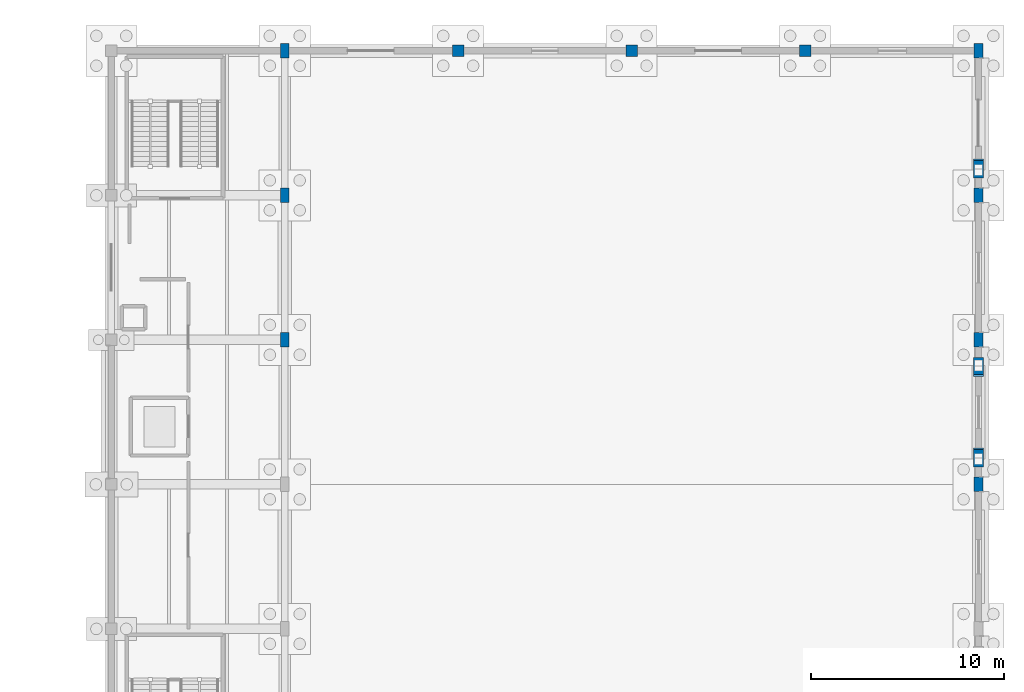
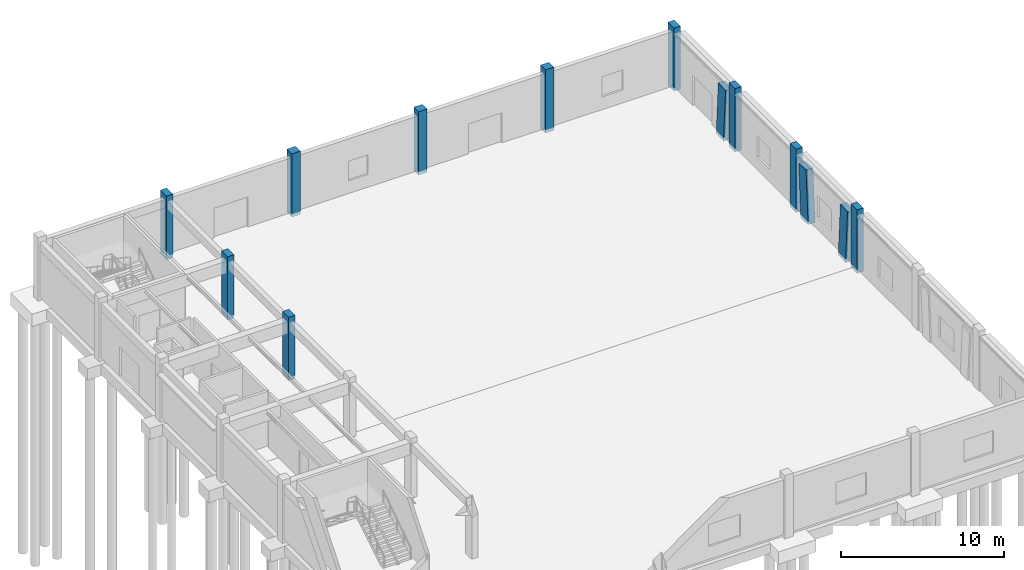
# One storey, part 15 of 93: 13 columns.
"""IFC4 building model written with IfcOpenShell, lengths in metres."""

from ifc_helpers import new_model, si_unit, direction, frame, origin, origin_2d, place, context, subcontext, project, spatial, rectangle, extrude, material, material_profile, profile_set, type_object, element, save


model = new_model("IFC4")

# Units and contexts
model_context = context("Model", 3, precision=1e-05, world=origin(), true_north=direction((0.0, 1.0)))
body_context = subcontext(model_context, "Body", "Model", "MODEL_VIEW")
ifc_project = project(units=[si_unit("LENGTHUNIT", "METRE"), si_unit("AREAUNIT", "SQUARE_METRE"), si_unit("VOLUMEUNIT", "CUBIC_METRE"), si_unit("PLANEANGLEUNIT", "RADIAN"), si_unit("MASSUNIT", "GRAM", prefix="KILO")], contexts=[model_context])

# Site, building, storey
site_placement = place(None, origin())
site = spatial("IfcSite", under=ifc_project, at=site_placement, CompositionType="ELEMENT")
building_placement = place(site_placement, origin())
building = spatial("IfcBuilding", under=site, at=building_placement, Name="Marnridge Secondary College", CompositionType="ELEMENT")
storey_placement = place(building_placement, origin())
storey = spatial("IfcBuildingStorey", under=building, at=storey_placement, Name="L00", CompositionType="ELEMENT", Elevation=0.0)

# Columns
ifc_material_1 = material(Name="Concrete C40/50 (AS 3600 N40, 40 MPa)", Category="concrete")
ifc_material_profile_1 = material_profile(ifc_material_1, rectangle(XDim=0.449951171875, YDim=0.75, at=origin_2d()), Name="RC 450x750")
ifc_profile_set_1 = profile_set([ifc_material_profile_1], Name="Concrete C40/50 (AS 3600 N40, 40 MPa)")
column_type_1 = type_object("IfcColumnType", Name="CL-RC4575-EXT", PredefinedType="COLUMN", material=ifc_profile_set_1)
for number, where, z_axis, x_axis, name in (
    (1, (171.0, 97.5, -0.25), (0.0, 0.0, 1.0), (1.0, 0.0, 0.0), "Column C-L00-0553"),
    (2, (135.0, 105.0, -0.25), (0.0, 0.0, 1.0), (1.0, 0.0, 0.0), "Column C-L00-0577"),
    (3, (171.0, 105.0, -0.25), (0.0, 0.0, 1.0), (1.0, 0.0, 0.0), "Column C-L00-0579"),
    (4, (135.0, 112.5, -0.25), (0.0, 0.0, 1.0), (1.0, 0.0, 0.0), "Column C-L00-0603"),
    (5, (171.0, 112.5, -0.25), (0.0, 0.0, 1.0), (1.0, 0.0, 0.0), "Column C-L00-0605"),
    (6, (135.0, 120.0, -0.25), (0.0, 0.0, 1.0), (1.0, 0.0, 0.0), "Column C-L00-0629"),
    (7, (171.0, 120.0, -0.25), (0.0, 0.0, 1.0), (1.0, 0.0, 0.0), "Column C-L00-0637"),
):
    element("IfcColumn", number, at=place(storey_placement, frame(where, z_axis=z_axis, x_axis=x_axis)), inside=storey, type_object=column_type_1, Name=name, PredefinedType="COLUMN", context=body_context, shape_type="SweptSolid", body=[
        extrude(rectangle(XDim=0.449951171875, YDim=0.75, at=origin_2d()), origin(), (0.0, 0.0, 1.0), 4.75),
    ])
ifc_material_2 = material(Name="Concrete C50/60 (AS 3600 N50, 50 MPa)", Category="concrete")
ifc_material_profile_2 = material_profile(ifc_material_2, rectangle(XDim=0.5, YDim=0.89990234375, at=origin_2d()), Name="RC 500x900")
ifc_profile_set_2 = profile_set([ifc_material_profile_2], Name="Concrete C50/60 (AS 3600 N50, 50 MPa)")
column_type_2 = type_object("IfcColumnType", Name="CL-RC5090-EXT", PredefinedType="PILASTER", material=ifc_profile_set_2)
for number, where, z_axis, x_axis, name in (
    (8, (171.0, 98.949951171875, -0.25), (0.0, -0.063196655728, 0.998001093539), (1.0, 0.0, 0.0), "Inclined pilaster strut CP-0641"),
    (9, (171.0, 103.550048828125, -0.25), (0.0, 0.063196655728, 0.998001093539), (-1.0, 0.0, 0.0), "Inclined pilaster strut CP-0642"),
    (10, (171.0, 113.949951171875, -0.25), (0.0, -0.063196655728, 0.998001093539), (1.0, 0.0, 0.0), "Inclined pilaster strut CP-0643"),
):
    element("IfcColumn", number, at=place(storey_placement, frame(where, z_axis=z_axis, x_axis=x_axis)), inside=storey, type_object=column_type_2, Name=name, PredefinedType="PILASTER", context=body_context, shape_type="SweptSolid", body=[
        extrude(rectangle(XDim=0.5, YDim=0.89990234375, at=origin_2d()), origin(), (0.0, 0.0, 1.0), 3.955810546875),
    ])
ifc_material_3 = material(Name="Concrete C40/50 (AS 3600 N40, 40 MPa)", Category="concrete")
ifc_material_profile_3 = material_profile(ifc_material_3, rectangle(XDim=0.60009765625, YDim=0.60009765625, at=origin_2d()), Name="RC 600x600")
ifc_profile_set_3 = profile_set([ifc_material_profile_3], Name="Concrete C40/50 (AS 3600 N40, 40 MPa)")
column_type_3 = type_object("IfcColumnType", Name="CL-RC600-EXT", PredefinedType="COLUMN", material=ifc_profile_set_3)
for number, where, z_axis, x_axis, name in (
    (11, (144.0, 120.0, -0.25), (0.0, 0.0, 1.0), (1.0, 0.0, 0.0), "Column C-L00-0631"),
    (12, (153.0, 120.0, -0.25), (0.0, 0.0, 1.0), (1.0, 0.0, 0.0), "Column C-L00-0633"),
    (13, (162.0, 120.0, -0.25), (0.0, 0.0, 1.0), (1.0, 0.0, 0.0), "Column C-L00-0635"),
):
    element("IfcColumn", number, at=place(storey_placement, frame(where, z_axis=z_axis, x_axis=x_axis)), inside=storey, type_object=column_type_3, Name=name, PredefinedType="COLUMN", context=body_context, shape_type="SweptSolid", body=[
        extrude(rectangle(XDim=0.60009765625, YDim=0.60009765625, at=origin_2d()), origin(), (0.0, 0.0, 1.0), 4.75),
    ])

save(model, "model.ifc")
